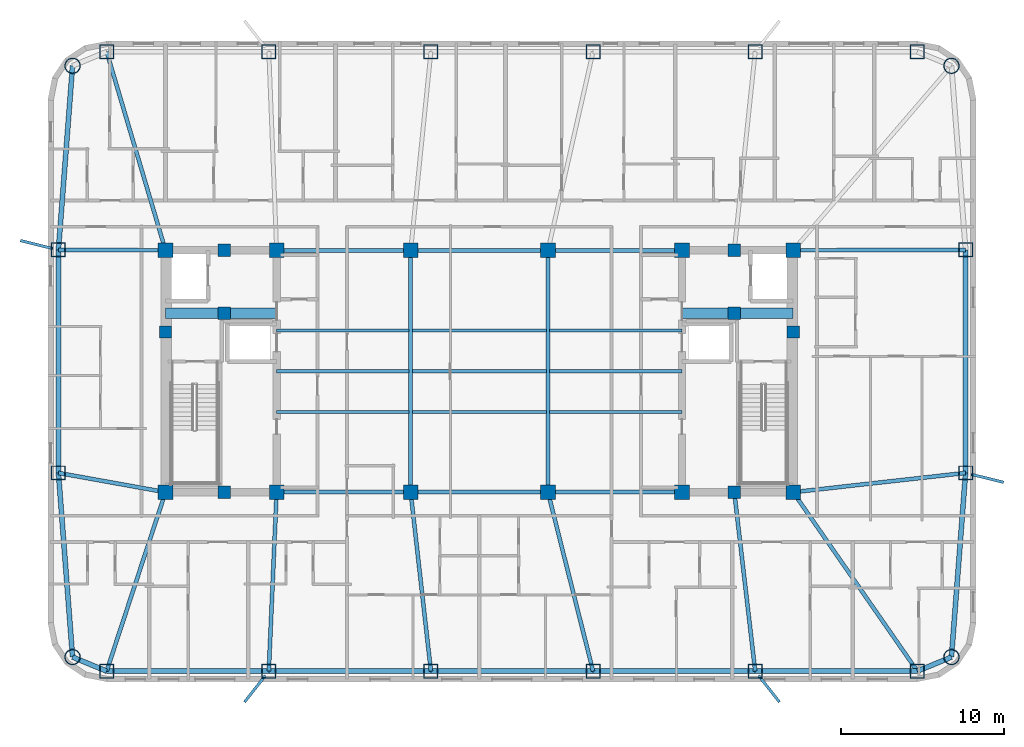
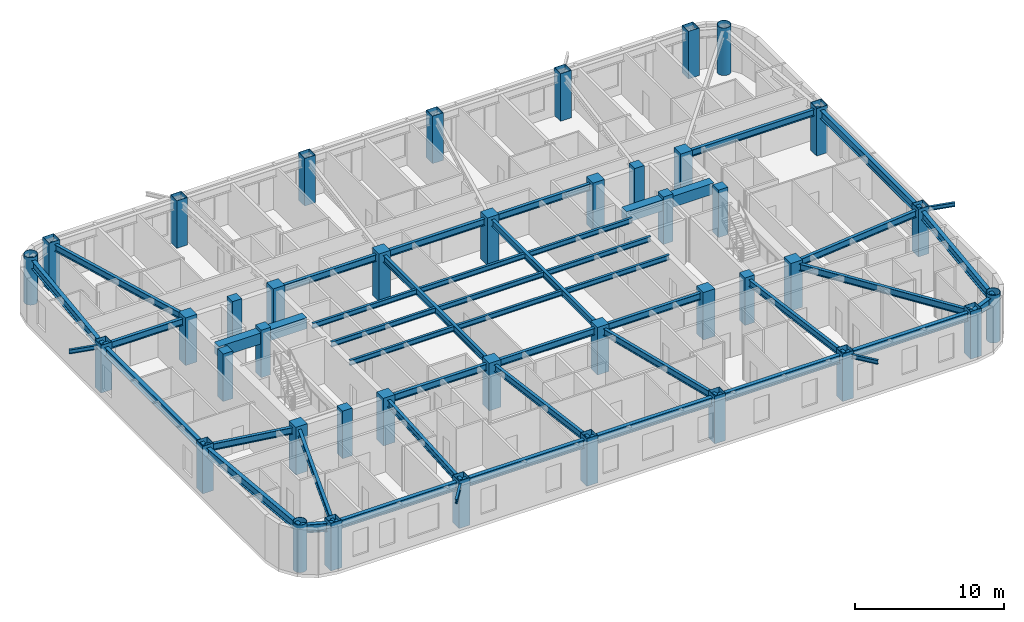
# One storey, part 1 of 11: 46 beams, 40 columns.
"""IFC4 building model written with IfcOpenShell, lengths in metres."""

from ifc_helpers import new_model, si_unit, direction, frame, origin, origin_2d, place, context, subcontext, project, spatial, rectangle, hollow_rectangle, hollow_circle, i_section, extrude, material, material_profile, profile_set, type_object, element, save


model = new_model("IFC4")

# Units and contexts
model_context = context("Model", 3, precision=1e-05, world=origin(), true_north=direction((0.0, 1.0)))
body_context = subcontext(model_context, "Body", "Model", "MODEL_VIEW")
ifc_project = project(units=[si_unit("LENGTHUNIT", "METRE"), si_unit("AREAUNIT", "SQUARE_METRE"), si_unit("VOLUMEUNIT", "CUBIC_METRE"), si_unit("PLANEANGLEUNIT", "RADIAN"), si_unit("MASSUNIT", "GRAM", prefix="KILO")], contexts=[model_context])

# Site, building, storey
site_placement = place(None, origin())
site = spatial("IfcSite", under=ifc_project, at=site_placement, CompositionType="ELEMENT")
building_placement = place(site_placement, origin())
building = spatial("IfcBuilding", under=site, at=building_placement, Name="Voryun Gate Residences", CompositionType="ELEMENT")
storey_placement = place(building_placement, frame((0.0, 0.0, 227.5)))
storey = spatial("IfcBuildingStorey", under=building, at=storey_placement, Name="L56", CompositionType="ELEMENT", Elevation=227.5)

# Columns
ifc_material_1 = material(Name="Concrete C50/60", Category="concrete")
ifc_material_profile_1 = material_profile(ifc_material_1, rectangle(XDim=0.75, YDim=0.75, at=origin_2d()), Name="RC-750x750")
ifc_profile_set_1 = profile_set([ifc_material_profile_1], Name="Concrete C50/60")
column_type_1 = type_object("IfcColumnType", Name="COL_CORE_750", PredefinedType="COLUMN", material=ifc_profile_set_1)
for number, where, z_axis, x_axis, name in (
    (1, (-19.199951171875, 2.39990234375, 0.0), (0.0, 0.0, 1.0), (1.0, 0.0, 0.0), "L56 Core boundary column WC-MW"),
    (2, (-15.60009765625, -7.39990234375, 0.0), (0.0, 0.0, 1.0), (1.0, 0.0, 0.0), "L56 Core boundary column WC-SM"),
    (3, (-15.60009765625, 7.39990234375, 0.0), (0.0, 0.0, 1.0), (1.0, 0.0, 0.0), "L56 Core boundary column WC-NM"),
    (4, (-15.60009765625, 3.550048828125, 0.0), (0.0, 0.0, 1.0), (1.0, 0.0, 0.0), "L56 Core boundary column WC-MM"),
    (5, (15.60009765625, 3.550048828125, 0.0), (0.0, 0.0, 1.0), (1.0, 0.0, 0.0), "L56 Core boundary column EC-MM"),
    (6, (15.60009765625, -7.39990234375, 0.0), (0.0, 0.0, 1.0), (1.0, 0.0, 0.0), "L56 Core boundary column EC-SM"),
    (7, (15.60009765625, 7.39990234375, 0.0), (0.0, 0.0, 1.0), (1.0, 0.0, 0.0), "L56 Core boundary column EC-NM"),
    (8, (19.199951171875, 2.39990234375, 0.0), (0.0, 0.0, 1.0), (1.0, 0.0, 0.0), "L56 Core boundary column EC-ME"),
):
    element("IfcColumn", number, at=place(storey_placement, frame(where, z_axis=z_axis, x_axis=x_axis)), inside=storey, type_object=column_type_1, Name=name, PredefinedType="COLUMN", context=body_context, shape_type="SweptSolid", body=[
        extrude(rectangle(XDim=0.75, YDim=0.75, at=origin_2d()), origin(), (0.0, 0.0, 1.0), 3.89990234375),
    ])
ifc_material_2 = material(Name="Concrete C50/60", Category="concrete")
ifc_material_profile_2 = material_profile(ifc_material_2, rectangle(XDim=0.89990234375, YDim=0.89990234375, at=origin_2d()), Name="RC-900x900")
ifc_profile_set_2 = profile_set([ifc_material_profile_2], Name="Concrete C50/60")
column_type_2 = type_object("IfcColumnType", Name="COL_CORE_900", PredefinedType="COLUMN", material=ifc_profile_set_2)
for number, where, z_axis, x_axis, name in (
    (9, (-19.199951171875, -7.39990234375, 0.0), (0.0, 0.0, 1.0), (1.0, 0.0, 0.0), "L56 Core boundary column WC-SW"),
    (10, (-19.199951171875, 7.39990234375, 0.0), (0.0, 0.0, 1.0), (1.0, 0.0, 0.0), "L56 Core boundary column WC-NW"),
    (11, (-12.39990234375, -7.39990234375, 0.0), (0.0, 0.0, 1.0), (1.0, 0.0, 0.0), "L56 Core boundary column WC-SE"),
    (12, (-12.39990234375, 7.39990234375, 0.0), (0.0, 0.0, 1.0), (1.0, 0.0, 0.0), "L56 Core boundary column WC-NE"),
    (13, (12.39990234375, -7.39990234375, 0.0), (0.0, 0.0, 1.0), (1.0, 0.0, 0.0), "L56 Core boundary column EC-SW"),
    (14, (12.39990234375, 7.39990234375, 0.0), (0.0, 0.0, 1.0), (1.0, 0.0, 0.0), "L56 Core boundary column EC-NW"),
    (15, (19.199951171875, -7.39990234375, 0.0), (0.0, 0.0, 1.0), (1.0, 0.0, 0.0), "L56 Core boundary column EC-SE"),
    (16, (19.199951171875, 7.39990234375, 0.0), (0.0, 0.0, 1.0), (1.0, 0.0, 0.0), "L56 Core boundary column EC-NE"),
    (17, (-4.199951171875, -7.39990234375, 0.0), (0.0, 0.0, 1.0), (1.0, 0.0, 0.0), "L56 Interior spine column SP-WS"),
    (18, (-4.199951171875, 7.39990234375, 0.0), (0.0, 0.0, 1.0), (1.0, 0.0, 0.0), "L56 Interior spine column SP-WN"),
    (19, (4.199951171875, -7.39990234375, 0.0), (0.0, 0.0, 1.0), (1.0, 0.0, 0.0), "L56 Interior spine column SP-ES"),
    (20, (4.199951171875, 7.39990234375, 0.0), (0.0, 0.0, 1.0), (1.0, 0.0, 0.0), "L56 Interior spine column SP-EN"),
):
    element("IfcColumn", number, at=place(storey_placement, frame(where, z_axis=z_axis, x_axis=x_axis)), inside=storey, type_object=column_type_2, Name=name, PredefinedType="COLUMN", context=body_context, shape_type="SweptSolid", body=[
        extrude(rectangle(XDim=0.89990234375, YDim=0.89990234375, at=origin_2d()), origin(), (0.0, 0.0, 1.0), 3.89990234375),
    ])
ifc_material_3 = material(Name="Steel SM420", Category="steel")
ifc_material_profile_3 = material_profile(ifc_material_3, hollow_circle(Radius=0.47509765625, WallThickness=0.031982421875, at=origin_2d()), Name="CHS-950x32")
ifc_profile_set_3 = profile_set([ifc_material_profile_3], Name="Steel SM420")
column_type_3 = type_object("IfcColumnType", Name="COL_CRN_950", PredefinedType="COLUMN", material=ifc_profile_set_3)
for number, where, z_axis, x_axis, name in (
    (21, (28.885986328125, -17.486083984375, 0.0), (0.0, 0.0, 1.0), (1.0, 0.0, 0.0), "L56 Exoskeleton column CSE"),
    (22, (28.885986328125, 18.68603515625, 0.0), (0.0, 0.0, 1.0), (1.0, 0.0, 0.0), "L56 Exoskeleton column CNE"),
    (23, (-24.885986328125, 18.68603515625, 0.0), (0.0, 0.0, 1.0), (1.0, 0.0, 0.0), "L56 Exoskeleton column CNW"),
    (24, (-24.885986328125, -17.486083984375, 0.0), (0.0, 0.0, 1.0), (1.0, 0.0, 0.0), "L56 Exoskeleton column CSW"),
):
    element("IfcColumn", number, at=place(storey_placement, frame(where, z_axis=z_axis, x_axis=x_axis)), inside=storey, type_object=column_type_3, Name=name, PredefinedType="COLUMN", context=body_context, shape_type="SweptSolid", body=[
        extrude(hollow_circle(Radius=0.47509765625, WallThickness=0.031982421875, at=origin_2d()), origin(), (0.0, 0.0, 1.0), 3.89990234375),
    ])
ifc_material_4 = material(Name="Steel SM355", Category="steel")
ifc_material_profile_4 = material_profile(ifc_material_4, hollow_rectangle(XDim=0.85009765625, YDim=0.85009765625, WallThickness=0.028076171875, at=origin_2d()), Name="BOX-850x850x28")
ifc_profile_set_4 = profile_set([ifc_material_profile_4], Name="Steel SM355")
column_type_4 = type_object("IfcColumnType", Name="COL_EXO_B4", PredefinedType="COLUMN", material=ifc_profile_set_4)
for number, where, z_axis, x_axis, name in (
    (25, (-22.800048828125, -18.35009765625, 0.0), (0.0, 0.0, 1.0), (1.0, 0.0, 0.0), "L56 Exoskeleton column S1"),
    (26, (-12.8798828125, -18.35009765625, 0.0), (0.0, 0.0, 1.0), (1.0, 0.0, 0.0), "L56 Exoskeleton column S2"),
    (27, (-2.9599609375, -18.35009765625, 0.0), (0.0, 0.0, 1.0), (1.0, 0.0, 0.0), "L56 Exoskeleton column S3"),
    (28, (6.9599609375, -18.35009765625, 0.0), (0.0, 0.0, 1.0), (1.0, 0.0, 0.0), "L56 Exoskeleton column S4"),
    (29, (16.8798828125, -18.35009765625, 0.0), (0.0, 0.0, 1.0), (1.0, 0.0, 0.0), "L56 Exoskeleton column S5"),
    (30, (26.800048828125, -18.35009765625, 0.0), (0.0, 0.0, 1.0), (1.0, 0.0, 0.0), "L56 Exoskeleton column S6"),
    (31, (29.75, -6.221923828125, 0.0), (0.0, 0.0, 1.0), (1.0, 0.0, 0.0), "L56 Exoskeleton column E1"),
    (32, (29.75, 7.422119140625, 0.0), (0.0, 0.0, 1.0), (1.0, 0.0, 0.0), "L56 Exoskeleton column E2"),
    (33, (26.800048828125, 19.550048828125, 0.0), (0.0, 0.0, 1.0), (1.0, 0.0, 0.0), "L56 Exoskeleton column N1"),
    (34, (16.8798828125, 19.550048828125, 0.0), (0.0, 0.0, 1.0), (1.0, 0.0, 0.0), "L56 Exoskeleton column N2"),
    (35, (6.9599609375, 19.550048828125, 0.0), (0.0, 0.0, 1.0), (1.0, 0.0, 0.0), "L56 Exoskeleton column N3"),
    (36, (-2.9599609375, 19.550048828125, 0.0), (0.0, 0.0, 1.0), (1.0, 0.0, 0.0), "L56 Exoskeleton column N4"),
    (37, (-12.8798828125, 19.550048828125, 0.0), (0.0, 0.0, 1.0), (1.0, 0.0, 0.0), "L56 Exoskeleton column N5"),
    (38, (-22.800048828125, 19.550048828125, 0.0), (0.0, 0.0, 1.0), (1.0, 0.0, 0.0), "L56 Exoskeleton column N6"),
    (39, (-25.75, 7.422119140625, 0.0), (0.0, 0.0, 1.0), (1.0, 0.0, 0.0), "L56 Exoskeleton column W1"),
    (40, (-25.75, -6.221923828125, 0.0), (0.0, 0.0, 1.0), (1.0, 0.0, 0.0), "L56 Exoskeleton column W2"),
):
    element("IfcColumn", number, at=place(storey_placement, frame(where, z_axis=z_axis, x_axis=x_axis)), inside=storey, type_object=column_type_4, Name=name, PredefinedType="COLUMN", context=body_context, shape_type="SweptSolid", body=[
        extrude(hollow_rectangle(XDim=0.85009765625, YDim=0.85009765625, WallThickness=0.028076171875, at=origin_2d()), origin(), (0.0, 0.0, 1.0), 3.89990234375),
    ])

# Beams
ifc_material_5 = material(Name="Steel SM355", Category="steel")
ifc_material_profile_5 = material_profile(ifc_material_5, i_section(OverallWidth=0.169921875, OverallDepth=0.340087890625, WebThickness=0.008056640625, FlangeThickness=0.013916015625, FilletRadius=0.01806640625, at=origin_2d()), Name="H-340x170x8x14")
ifc_profile_set_5 = profile_set([ifc_material_profile_5], Name="Steel SM355")
beam_type_1 = type_object("IfcBeamType", Name="BM_BALC_EDGE", PredefinedType="JOIST", material=ifc_profile_set_5)
for number, where, z_axis, x_axis, name in (
    (41, (-13.09619140625, -18.625244140625, 3.47998046875), (-0.617611146463, -0.786483611886, 0.0), (0.786483611886, -0.617611146463, 0.0), "BM-L56-BALBRK-S2"),
    (42, (17.09619140625, -18.625244140625, 3.47998046875), (0.617611146463, -0.786483611886, 0.0), (0.786483611886, 0.617611146463, 0.0), "BM-L56-BALBRK-S5"),
    (43, (30.08984375, -6.3056640625, 3.47998046875), (0.971101564915, -0.238666609773, 0.0), (0.238666609773, 0.971101564915, 0.0), "BM-L56-BALBRK-E1"),
    (44, (-26.08984375, 7.505615234375, 3.47998046875), (-0.971101564915, 0.238666609773, 0.0), (-0.238666609773, -0.971101564915, 0.0), "BM-L56-BALBRK-W1"),
):
    element("IfcBeam", number, at=place(storey_placement, frame(where, z_axis=z_axis, x_axis=x_axis)), inside=storey, type_object=beam_type_1, Name=name, PredefinedType="JOIST", context=body_context, shape_type="SweptSolid", body=[
        extrude(i_section(OverallWidth=0.169921875, OverallDepth=0.340087890625, WebThickness=0.008056640625, FlangeThickness=0.013916015625, FilletRadius=0.01806640625, at=origin_2d()), origin(), (0.0, 0.0, 1.0), 2.050048828125),
    ])
ifc_material_6 = material(Name="Concrete C60/75", Category="concrete")
ifc_material_profile_6 = material_profile(ifc_material_6, rectangle(XDim=0.64990234375, YDim=0.89990234375, at=origin_2d()), Name="RC-650x900")
ifc_profile_set_6 = profile_set([ifc_material_profile_6], Name="Concrete C60/75")
beam_type_2 = type_object("IfcBeamType", Name="BM_COUP_RC900", PredefinedType="LINTEL", material=ifc_profile_set_6)
for number, where, z_axis, x_axis, name in (
    (45, (-19.199951171875, 3.550048828125, 3.199951171875), (1.0, 0.0, 0.0), (0.0, 1.0, 0.0), "BM-L56-WC1"),
    (46, (12.39990234375, 3.550048828125, 3.199951171875), (1.0, 0.0, 0.0), (0.0, 1.0, 0.0), "BM-L56-EC1"),
):
    element("IfcBeam", number, at=place(storey_placement, frame(where, z_axis=z_axis, x_axis=x_axis)), inside=storey, type_object=beam_type_2, Name=name, PredefinedType="LINTEL", context=body_context, shape_type="SweptSolid", body=[
        extrude(rectangle(XDim=0.64990234375, YDim=0.89990234375, at=origin_2d()), origin(), (0.0, 0.0, 1.0), 6.800048828125),
    ])
ifc_material_7 = material(Name="Steel SM355", Category="steel")
ifc_material_profile_7 = material_profile(ifc_material_7, i_section(OverallWidth=0.300048828125, OverallDepth=0.679931640625, WebThickness=0.013916015625, FlangeThickness=0.02490234375, FilletRadius=0.01806640625, at=origin_2d()), Name="H-680x300x14x25")
ifc_profile_set_7 = profile_set([ifc_material_profile_7], Name="Steel SM355")
beam_type_3 = type_object("IfcBeamType", Name="BM_EXO_SPANDREL_M", PredefinedType="SPANDREL", material=ifc_profile_set_7)
beam_1_placement = place(storey_placement, frame((-22.800048828125, -18.35009765625, 3.31005859375), z_axis=(1.0, 0.0, 0.0), x_axis=(0.0, 1.0, 0.0)))
element("IfcBeam", 47, at=beam_1_placement, inside=storey, type_object=beam_type_3, Name="BM-L56-SPAND-01", PredefinedType="SPANDREL", context=body_context, shape_type="SweptSolid", body=[
    extrude(i_section(OverallWidth=0.300048828125, OverallDepth=0.679931640625, WebThickness=0.013916015625, FlangeThickness=0.02490234375, FilletRadius=0.01806640625, at=origin_2d()), origin(), (0.0, 0.0, 1.0), 9.920166015625),
])
for number, where, z_axis, x_axis, name in (
    (48, (-12.8798828125, -18.35009765625, 3.31005859375), (1.0, 0.0, 0.0), (0.0, 1.0, 0.0), "BM-L56-SPAND-02"),
    (49, (-2.9599609375, -18.35009765625, 3.31005859375), (1.0, 0.0, 0.0), (0.0, 1.0, 0.0), "BM-L56-SPAND-03"),
    (50, (6.9599609375, -18.35009765625, 3.31005859375), (1.0, 0.0, 0.0), (0.0, 1.0, 0.0), "BM-L56-SPAND-04"),
):
    element("IfcBeam", number, at=place(storey_placement, frame(where, z_axis=z_axis, x_axis=x_axis)), inside=storey, type_object=beam_type_3, Name=name, PredefinedType="SPANDREL", context=body_context, shape_type="SweptSolid", body=[
        extrude(i_section(OverallWidth=0.300048828125, OverallDepth=0.679931640625, WebThickness=0.013916015625, FlangeThickness=0.02490234375, FilletRadius=0.01806640625, at=origin_2d()), origin(), (0.0, 0.0, 1.0), 9.919921875),
    ])
beam_2_placement = place(storey_placement, frame((16.8798828125, -18.35009765625, 3.31005859375), z_axis=(1.0, 0.0, 0.0), x_axis=(0.0, 1.0, 0.0)))
element("IfcBeam", 51, at=beam_2_placement, inside=storey, type_object=beam_type_3, Name="BM-L56-SPAND-05", PredefinedType="SPANDREL", context=body_context, shape_type="SweptSolid", body=[
    extrude(i_section(OverallWidth=0.300048828125, OverallDepth=0.679931640625, WebThickness=0.013916015625, FlangeThickness=0.02490234375, FilletRadius=0.01806640625, at=origin_2d()), origin(), (0.0, 0.0, 1.0), 9.920166015625),
])
beam_3_placement = place(storey_placement, frame((26.800048828125, -18.35009765625, 3.31005859375), z_axis=(0.923881087602, 0.382679678022, 0.0), x_axis=(-0.382679678022, 0.923881087602, 0.0)))
element("IfcBeam", 52, at=beam_3_placement, inside=storey, type_object=beam_type_3, Name="BM-L56-SPAND-06", PredefinedType="SPANDREL", context=body_context, shape_type="SweptSolid", body=[
    extrude(i_section(OverallWidth=0.300048828125, OverallDepth=0.679931640625, WebThickness=0.013916015625, FlangeThickness=0.02490234375, FilletRadius=0.01806640625, at=origin_2d()), origin(), (0.0, 0.0, 1.0), 2.2578125),
])
beam_4_placement = place(storey_placement, frame((28.885986328125, -17.486083984375, 3.31005859375), z_axis=(0.076480009441, 0.997071114894, 0.0), x_axis=(-0.997071114894, 0.076480009441, 0.0)))
element("IfcBeam", 53, at=beam_4_placement, inside=storey, type_object=beam_type_3, Name="BM-L56-SPAND-07", PredefinedType="SPANDREL", context=body_context, shape_type="SweptSolid", body=[
    extrude(i_section(OverallWidth=0.300048828125, OverallDepth=0.679931640625, WebThickness=0.013916015625, FlangeThickness=0.02490234375, FilletRadius=0.01806640625, at=origin_2d()), origin(), (0.0, 0.0, 1.0), 11.29736328125),
])
beam_5_placement = place(storey_placement, frame((29.75, -6.221923828125, 3.31005859375), z_axis=(0.0, 1.0, 0.0), x_axis=(-1.0, 0.0, 0.0)))
element("IfcBeam", 54, at=beam_5_placement, inside=storey, type_object=beam_type_3, Name="BM-L56-SPAND-08", PredefinedType="SPANDREL", context=body_context, shape_type="SweptSolid", body=[
    extrude(i_section(OverallWidth=0.300048828125, OverallDepth=0.679931640625, WebThickness=0.013916015625, FlangeThickness=0.02490234375, FilletRadius=0.01806640625, at=origin_2d()), origin(), (0.0, 0.0, 1.0), 13.64404296875),
])
beam_6_placement = place(storey_placement, frame((-24.885986328125, 18.68603515625, 3.31005859375), z_axis=(-0.076481657417, -0.997070988485, 0.0), x_axis=(0.997070988485, -0.076481657417, 0.0)))
element("IfcBeam", 55, at=beam_6_placement, inside=storey, type_object=beam_type_3, Name="BM-L56-SPAND-17", PredefinedType="SPANDREL", context=body_context, shape_type="SweptSolid", body=[
    extrude(i_section(OverallWidth=0.300048828125, OverallDepth=0.679931640625, WebThickness=0.013916015625, FlangeThickness=0.02490234375, FilletRadius=0.01806640625, at=origin_2d()), origin(), (0.0, 0.0, 1.0), 11.297119140625),
])
beam_7_placement = place(storey_placement, frame((-25.75, 7.422119140625, 3.31005859375), z_axis=(0.0, -1.0, 0.0), x_axis=(1.0, 0.0, 0.0)))
element("IfcBeam", 56, at=beam_7_placement, inside=storey, type_object=beam_type_3, Name="BM-L56-SPAND-18", PredefinedType="SPANDREL", context=body_context, shape_type="SweptSolid", body=[
    extrude(i_section(OverallWidth=0.300048828125, OverallDepth=0.679931640625, WebThickness=0.013916015625, FlangeThickness=0.02490234375, FilletRadius=0.01806640625, at=origin_2d()), origin(), (0.0, 0.0, 1.0), 13.64404296875),
])
beam_8_placement = place(storey_placement, frame((-25.75, -6.221923828125, 3.31005859375), z_axis=(0.076480009441, -0.997071114894, 0.0), x_axis=(0.997071114894, 0.076480009441, 0.0)))
element("IfcBeam", 57, at=beam_8_placement, inside=storey, type_object=beam_type_3, Name="BM-L56-SPAND-19", PredefinedType="SPANDREL", context=body_context, shape_type="SweptSolid", body=[
    extrude(i_section(OverallWidth=0.300048828125, OverallDepth=0.679931640625, WebThickness=0.013916015625, FlangeThickness=0.02490234375, FilletRadius=0.01806640625, at=origin_2d()), origin(), (0.0, 0.0, 1.0), 11.29736328125),
])
beam_9_placement = place(storey_placement, frame((-24.885986328125, -17.486083984375, 3.31005859375), z_axis=(0.923881087602, -0.382679678022, 0.0), x_axis=(0.382679678022, 0.923881087602, 0.0)))
element("IfcBeam", 58, at=beam_9_placement, inside=storey, type_object=beam_type_3, Name="BM-L56-SPAND-20", PredefinedType="SPANDREL", context=body_context, shape_type="SweptSolid", body=[
    extrude(i_section(OverallWidth=0.300048828125, OverallDepth=0.679931640625, WebThickness=0.013916015625, FlangeThickness=0.02490234375, FilletRadius=0.01806640625, at=origin_2d()), origin(), (0.0, 0.0, 1.0), 2.2578125),
])
ifc_material_8 = material(Name="Steel SM355", Category="steel")
ifc_material_profile_8 = material_profile(ifc_material_8, i_section(OverallWidth=0.239990234375, OverallDepth=0.550048828125, WebThickness=0.011962890625, FlangeThickness=0.02001953125, FilletRadius=0.01806640625, at=origin_2d()), Name="H-550x240x12x20")
ifc_profile_set_8 = profile_set([ifc_material_profile_8], Name="Steel SM355")
beam_type_4 = type_object("IfcBeamType", Name="BM_GIRD_550", PredefinedType="USERDEFINED", material=ifc_profile_set_8)
beam_10_placement = place(storey_placement, frame((-12.39990234375, -7.39990234375, 3.375), z_axis=(1.0, 0.0, 0.0), x_axis=(0.0, 1.0, 0.0)))
element("IfcBeam", 59, at=beam_10_placement, inside=storey, type_object=beam_type_4, Name="BM-L56-SPG1-S", ObjectType="GIRDER", PredefinedType="USERDEFINED", context=body_context, shape_type="SweptSolid", body=[
    extrude(i_section(OverallWidth=0.239990234375, OverallDepth=0.550048828125, WebThickness=0.011962890625, FlangeThickness=0.02001953125, FilletRadius=0.01806640625, at=origin_2d()), origin(), (0.0, 0.0, 1.0), 8.199951171875),
])
beam_11_placement = place(storey_placement, frame((-4.199951171875, -7.39990234375, 3.375), z_axis=(1.0, 0.0, 0.0), x_axis=(0.0, 1.0, 0.0)))
element("IfcBeam", 60, at=beam_11_placement, inside=storey, type_object=beam_type_4, Name="BM-L56-SPG2-S", ObjectType="GIRDER", PredefinedType="USERDEFINED", context=body_context, shape_type="SweptSolid", body=[
    extrude(i_section(OverallWidth=0.239990234375, OverallDepth=0.550048828125, WebThickness=0.011962890625, FlangeThickness=0.02001953125, FilletRadius=0.01806640625, at=origin_2d()), origin(), (0.0, 0.0, 1.0), 8.39990234375),
])
for number, where, z_axis, x_axis, name in (
    (61, (4.199951171875, -7.39990234375, 3.375), (1.0, 0.0, 0.0), (0.0, 1.0, 0.0), "BM-L56-SPG3-S"),
    (62, (-12.39990234375, 7.39990234375, 3.375), (1.0, 0.0, 0.0), (0.0, 1.0, 0.0), "BM-L56-SPG1-N"),
):
    element("IfcBeam", number, at=place(storey_placement, frame(where, z_axis=z_axis, x_axis=x_axis)), inside=storey, type_object=beam_type_4, Name=name, ObjectType="GIRDER", PredefinedType="USERDEFINED", context=body_context, shape_type="SweptSolid", body=[
        extrude(i_section(OverallWidth=0.239990234375, OverallDepth=0.550048828125, WebThickness=0.011962890625, FlangeThickness=0.02001953125, FilletRadius=0.01806640625, at=origin_2d()), origin(), (0.0, 0.0, 1.0), 8.199951171875),
    ])
beam_12_placement = place(storey_placement, frame((-4.199951171875, 7.39990234375, 3.375), z_axis=(1.0, 0.0, 0.0), x_axis=(0.0, 1.0, 0.0)))
element("IfcBeam", 63, at=beam_12_placement, inside=storey, type_object=beam_type_4, Name="BM-L56-SPG2-N", ObjectType="GIRDER", PredefinedType="USERDEFINED", context=body_context, shape_type="SweptSolid", body=[
    extrude(i_section(OverallWidth=0.239990234375, OverallDepth=0.550048828125, WebThickness=0.011962890625, FlangeThickness=0.02001953125, FilletRadius=0.01806640625, at=origin_2d()), origin(), (0.0, 0.0, 1.0), 8.39990234375),
])
beam_13_placement = place(storey_placement, frame((4.199951171875, 7.39990234375, 3.375), z_axis=(1.0, 0.0, 0.0), x_axis=(0.0, 1.0, 0.0)))
element("IfcBeam", 64, at=beam_13_placement, inside=storey, type_object=beam_type_4, Name="BM-L56-SPG3-N", ObjectType="GIRDER", PredefinedType="USERDEFINED", context=body_context, shape_type="SweptSolid", body=[
    extrude(i_section(OverallWidth=0.239990234375, OverallDepth=0.550048828125, WebThickness=0.011962890625, FlangeThickness=0.02001953125, FilletRadius=0.01806640625, at=origin_2d()), origin(), (0.0, 0.0, 1.0), 8.199951171875),
])
for number, where, z_axis, x_axis, name in (
    (65, (-4.199951171875, -7.39990234375, 3.375), (0.0, 1.0, 0.0), (-1.0, 0.0, 0.0), "BM-L56-SPX-W"),
    (66, (4.199951171875, -7.39990234375, 3.375), (0.0, 1.0, 0.0), (-1.0, 0.0, 0.0), "BM-L56-SPX-E"),
):
    element("IfcBeam", number, at=place(storey_placement, frame(where, z_axis=z_axis, x_axis=x_axis)), inside=storey, type_object=beam_type_4, Name=name, ObjectType="GIRDER", PredefinedType="USERDEFINED", context=body_context, shape_type="SweptSolid", body=[
        extrude(i_section(OverallWidth=0.239990234375, OverallDepth=0.550048828125, WebThickness=0.011962890625, FlangeThickness=0.02001953125, FilletRadius=0.01806640625, at=origin_2d()), origin(), (0.0, 0.0, 1.0), 14.7998046875),
    ])
beam_14_placement = place(storey_placement, frame((-19.199951171875, -7.39990234375, 3.375), z_axis=(-0.312323693326, -0.949975742104, 0.0), x_axis=(0.949975742104, -0.312323693326, 0.0)))
element("IfcBeam", 67, at=beam_14_placement, inside=storey, type_object=beam_type_4, Name="BM-L56-RAD-S1", ObjectType="GIRDER", PredefinedType="USERDEFINED", context=body_context, shape_type="SweptSolid", body=[
    extrude(i_section(OverallWidth=0.239990234375, OverallDepth=0.550048828125, WebThickness=0.011962890625, FlangeThickness=0.02001953125, FilletRadius=0.01806640625, at=origin_2d()), origin(), (0.0, 0.0, 1.0), 11.52685546875),
])
beam_15_placement = place(storey_placement, frame((-12.39990234375, -7.39990234375, 3.375), z_axis=(-0.043791002488, -0.999040713936, 0.0), x_axis=(0.999040713936, -0.043791002488, 0.0)))
element("IfcBeam", 68, at=beam_15_placement, inside=storey, type_object=beam_type_4, Name="BM-L56-RAD-S2", ObjectType="GIRDER", PredefinedType="USERDEFINED", context=body_context, shape_type="SweptSolid", body=[
    extrude(i_section(OverallWidth=0.239990234375, OverallDepth=0.550048828125, WebThickness=0.011962890625, FlangeThickness=0.02001953125, FilletRadius=0.01806640625, at=origin_2d()), origin(), (0.0, 0.0, 1.0), 10.960693359375),
])
beam_16_placement = place(storey_placement, frame((-4.199951171875, -7.39990234375, 3.375), z_axis=(0.112519968476, -0.993649463691, 0.0), x_axis=(0.993649463691, 0.112519968476, 0.0)))
element("IfcBeam", 69, at=beam_16_placement, inside=storey, type_object=beam_type_4, Name="BM-L56-RAD-S3", ObjectType="GIRDER", PredefinedType="USERDEFINED", context=body_context, shape_type="SweptSolid", body=[
    extrude(i_section(OverallWidth=0.239990234375, OverallDepth=0.550048828125, WebThickness=0.011962890625, FlangeThickness=0.02001953125, FilletRadius=0.01806640625, at=origin_2d()), origin(), (0.0, 0.0, 1.0), 11.020263671875),
])
beam_17_placement = place(storey_placement, frame((4.199951171875, -7.39990234375, 3.375), z_axis=(0.24440715799, -0.969672697936, 0.0), x_axis=(0.969672697936, 0.24440715799, 0.0)))
element("IfcBeam", 70, at=beam_17_placement, inside=storey, type_object=beam_type_4, Name="BM-L56-RAD-S4", ObjectType="GIRDER", PredefinedType="USERDEFINED", context=body_context, shape_type="SweptSolid", body=[
    extrude(i_section(OverallWidth=0.239990234375, OverallDepth=0.550048828125, WebThickness=0.011962890625, FlangeThickness=0.02001953125, FilletRadius=0.01806640625, at=origin_2d()), origin(), (0.0, 0.0, 1.0), 11.292724609375),
])
beam_18_placement = place(storey_placement, frame((15.60009765625, -7.39990234375, 3.375), z_axis=(0.116083150214, -0.993239498931, 0.0), x_axis=(0.993239498931, 0.116083150214, 0.0)))
element("IfcBeam", 71, at=beam_18_placement, inside=storey, type_object=beam_type_4, Name="BM-L56-RAD-S5", ObjectType="GIRDER", PredefinedType="USERDEFINED", context=body_context, shape_type="SweptSolid", body=[
    extrude(i_section(OverallWidth=0.239990234375, OverallDepth=0.550048828125, WebThickness=0.011962890625, FlangeThickness=0.02001953125, FilletRadius=0.01806640625, at=origin_2d()), origin(), (0.0, 0.0, 1.0), 11.024658203125),
])
beam_19_placement = place(storey_placement, frame((19.199951171875, -7.39990234375, 3.375), z_axis=(0.570182975489, -0.821517726201, 0.0), x_axis=(0.821517726201, 0.570182975489, 0.0)))
element("IfcBeam", 72, at=beam_19_placement, inside=storey, type_object=beam_type_4, Name="BM-L56-RAD-S6", ObjectType="GIRDER", PredefinedType="USERDEFINED", context=body_context, shape_type="SweptSolid", body=[
    extrude(i_section(OverallWidth=0.239990234375, OverallDepth=0.550048828125, WebThickness=0.011962890625, FlangeThickness=0.02001953125, FilletRadius=0.01806640625, at=origin_2d()), origin(), (0.0, 0.0, 1.0), 13.329345703125),
])
beam_20_placement = place(storey_placement, frame((19.199951171875, -7.39990234375, 3.375), z_axis=(0.993824131675, 0.110966640486, 0.0), x_axis=(-0.110966640486, 0.993824131675, 0.0)))
element("IfcBeam", 73, at=beam_20_placement, inside=storey, type_object=beam_type_4, Name="BM-L56-RAD-E1", ObjectType="GIRDER", PredefinedType="USERDEFINED", context=body_context, shape_type="SweptSolid", body=[
    extrude(i_section(OverallWidth=0.239990234375, OverallDepth=0.550048828125, WebThickness=0.011962890625, FlangeThickness=0.02001953125, FilletRadius=0.01806640625, at=origin_2d()), origin(), (0.0, 0.0, 1.0), 10.61572265625),
])
beam_21_placement = place(storey_placement, frame((19.199951171875, 7.39990234375, 3.375), z_axis=(0.99999778271, 0.002105843108, 0.0), x_axis=(-0.002105843108, 0.99999778271, 0.0)))
element("IfcBeam", 74, at=beam_21_placement, inside=storey, type_object=beam_type_4, Name="BM-L56-RAD-E2", ObjectType="GIRDER", PredefinedType="USERDEFINED", context=body_context, shape_type="SweptSolid", body=[
    extrude(i_section(OverallWidth=0.239990234375, OverallDepth=0.550048828125, WebThickness=0.011962890625, FlangeThickness=0.02001953125, FilletRadius=0.01806640625, at=origin_2d()), origin(), (0.0, 0.0, 1.0), 10.550048828125),
])
beam_22_placement = place(storey_placement, frame((-19.199951171875, 7.39990234375, 3.375), z_axis=(-0.284092265434, 0.958796946553, 0.0), x_axis=(-0.958796946553, -0.284092265434, 0.0)))
element("IfcBeam", 75, at=beam_22_placement, inside=storey, type_object=beam_type_4, Name="BM-L56-RAD-N6", ObjectType="GIRDER", PredefinedType="USERDEFINED", context=body_context, shape_type="SweptSolid", body=[
    extrude(i_section(OverallWidth=0.239990234375, OverallDepth=0.550048828125, WebThickness=0.011962890625, FlangeThickness=0.02001953125, FilletRadius=0.01806640625, at=origin_2d()), origin(), (0.0, 0.0, 1.0), 12.67236328125),
])
beam_23_placement = place(storey_placement, frame((-19.199951171875, 7.39990234375, 3.375), z_axis=(-0.999994247719, 0.003391832589, 0.0), x_axis=(-0.003391832589, -0.999994247719, 0.0)))
element("IfcBeam", 76, at=beam_23_placement, inside=storey, type_object=beam_type_4, Name="BM-L56-RAD-W1", ObjectType="GIRDER", PredefinedType="USERDEFINED", context=body_context, shape_type="SweptSolid", body=[
    extrude(i_section(OverallWidth=0.239990234375, OverallDepth=0.550048828125, WebThickness=0.011962890625, FlangeThickness=0.02001953125, FilletRadius=0.01806640625, at=origin_2d()), origin(), (0.0, 0.0, 1.0), 6.550048828125),
])
beam_24_placement = place(storey_placement, frame((-19.199951171875, -7.39990234375, 3.375), z_axis=(-0.984210303638, 0.177003045773, 0.0), x_axis=(-0.177003045773, -0.984210303638, 0.0)))
element("IfcBeam", 77, at=beam_24_placement, inside=storey, type_object=beam_type_4, Name="BM-L56-RAD-W2", ObjectType="GIRDER", PredefinedType="USERDEFINED", context=body_context, shape_type="SweptSolid", body=[
    extrude(i_section(OverallWidth=0.239990234375, OverallDepth=0.550048828125, WebThickness=0.011962890625, FlangeThickness=0.02001953125, FilletRadius=0.01806640625, at=origin_2d()), origin(), (0.0, 0.0, 1.0), 6.655029296875),
])
ifc_material_9 = material(Name="Steel SM355", Category="steel")
ifc_material_profile_9 = material_profile(ifc_material_9, i_section(OverallWidth=0.18994140625, OverallDepth=0.419921875, WebThickness=0.009033203125, FlangeThickness=0.01611328125, FilletRadius=0.01806640625, at=origin_2d()), Name="H-420x190x9x16")
ifc_profile_set_9 = profile_set([ifc_material_profile_9], Name="Steel SM355")
beam_type_5 = type_object("IfcBeamType", Name="BM_SEC_420", PredefinedType="BEAM", material=ifc_profile_set_9)
beam_25_placement = place(storey_placement, frame((-12.39990234375, -2.5, 3.43994140625), z_axis=(1.0, 0.0, 0.0), x_axis=(0.0, 1.0, 0.0)))
element("IfcBeam", 78, at=beam_25_placement, inside=storey, type_object=beam_type_5, Name="BM-L56-SEC-CS1", PredefinedType="BEAM", context=body_context, shape_type="SweptSolid", body=[
    extrude(i_section(OverallWidth=0.18994140625, OverallDepth=0.419921875, WebThickness=0.009033203125, FlangeThickness=0.01611328125, FilletRadius=0.01806640625, at=origin_2d()), origin(), (0.0, 0.0, 1.0), 8.099853515625),
])
beam_26_placement = place(storey_placement, frame((-4.10009765625, -2.5, 3.43994140625), z_axis=(1.0, 0.0, 0.0), x_axis=(0.0, 1.0, 0.0)))
element("IfcBeam", 79, at=beam_26_placement, inside=storey, type_object=beam_type_5, Name="BM-L56-SEC-CS2", PredefinedType="BEAM", context=body_context, shape_type="SweptSolid", body=[
    extrude(i_section(OverallWidth=0.18994140625, OverallDepth=0.419921875, WebThickness=0.009033203125, FlangeThickness=0.01611328125, FilletRadius=0.01806640625, at=origin_2d()), origin(), (0.0, 0.0, 1.0), 8.2001953125),
])
for number, where, z_axis, x_axis, name in (
    (80, (4.300048828125, -2.5, 3.43994140625), (1.0, 0.0, 0.0), (0.0, 1.0, 0.0), "BM-L56-SEC-CS3"),
    (81, (-12.39990234375, 0.0, 3.43994140625), (1.0, 0.0, 0.0), (0.0, 1.0, 0.0), "BM-L56-SEC-CM1"),
):
    element("IfcBeam", number, at=place(storey_placement, frame(where, z_axis=z_axis, x_axis=x_axis)), inside=storey, type_object=beam_type_5, Name=name, PredefinedType="BEAM", context=body_context, shape_type="SweptSolid", body=[
        extrude(i_section(OverallWidth=0.18994140625, OverallDepth=0.419921875, WebThickness=0.009033203125, FlangeThickness=0.01611328125, FilletRadius=0.01806640625, at=origin_2d()), origin(), (0.0, 0.0, 1.0), 8.099853515625),
    ])
beam_27_placement = place(storey_placement, frame((-4.10009765625, 0.0, 3.43994140625), z_axis=(1.0, 0.0, 0.0), x_axis=(0.0, 1.0, 0.0)))
element("IfcBeam", 82, at=beam_27_placement, inside=storey, type_object=beam_type_5, Name="BM-L56-SEC-CM2", PredefinedType="BEAM", context=body_context, shape_type="SweptSolid", body=[
    extrude(i_section(OverallWidth=0.18994140625, OverallDepth=0.419921875, WebThickness=0.009033203125, FlangeThickness=0.01611328125, FilletRadius=0.01806640625, at=origin_2d()), origin(), (0.0, 0.0, 1.0), 8.2001953125),
])
for number, where, z_axis, x_axis, name in (
    (83, (4.300048828125, 0.0, 3.43994140625), (1.0, 0.0, 0.0), (0.0, 1.0, 0.0), "BM-L56-SEC-CM3"),
    (84, (-12.39990234375, 2.5, 3.43994140625), (1.0, 0.0, 0.0), (0.0, 1.0, 0.0), "BM-L56-SEC-CN1"),
):
    element("IfcBeam", number, at=place(storey_placement, frame(where, z_axis=z_axis, x_axis=x_axis)), inside=storey, type_object=beam_type_5, Name=name, PredefinedType="BEAM", context=body_context, shape_type="SweptSolid", body=[
        extrude(i_section(OverallWidth=0.18994140625, OverallDepth=0.419921875, WebThickness=0.009033203125, FlangeThickness=0.01611328125, FilletRadius=0.01806640625, at=origin_2d()), origin(), (0.0, 0.0, 1.0), 8.099853515625),
    ])
beam_28_placement = place(storey_placement, frame((-4.10009765625, 2.5, 3.43994140625), z_axis=(1.0, 0.0, 0.0), x_axis=(0.0, 1.0, 0.0)))
element("IfcBeam", 85, at=beam_28_placement, inside=storey, type_object=beam_type_5, Name="BM-L56-SEC-CN2", PredefinedType="BEAM", context=body_context, shape_type="SweptSolid", body=[
    extrude(i_section(OverallWidth=0.18994140625, OverallDepth=0.419921875, WebThickness=0.009033203125, FlangeThickness=0.01611328125, FilletRadius=0.01806640625, at=origin_2d()), origin(), (0.0, 0.0, 1.0), 8.2001953125),
])
beam_29_placement = place(storey_placement, frame((4.300048828125, 2.5, 3.43994140625), z_axis=(1.0, 0.0, 0.0), x_axis=(0.0, 1.0, 0.0)))
element("IfcBeam", 86, at=beam_29_placement, inside=storey, type_object=beam_type_5, Name="BM-L56-SEC-CN3", PredefinedType="BEAM", context=body_context, shape_type="SweptSolid", body=[
    extrude(i_section(OverallWidth=0.18994140625, OverallDepth=0.419921875, WebThickness=0.009033203125, FlangeThickness=0.01611328125, FilletRadius=0.01806640625, at=origin_2d()), origin(), (0.0, 0.0, 1.0), 8.099853515625),
])

save(model, "model.ifc")
